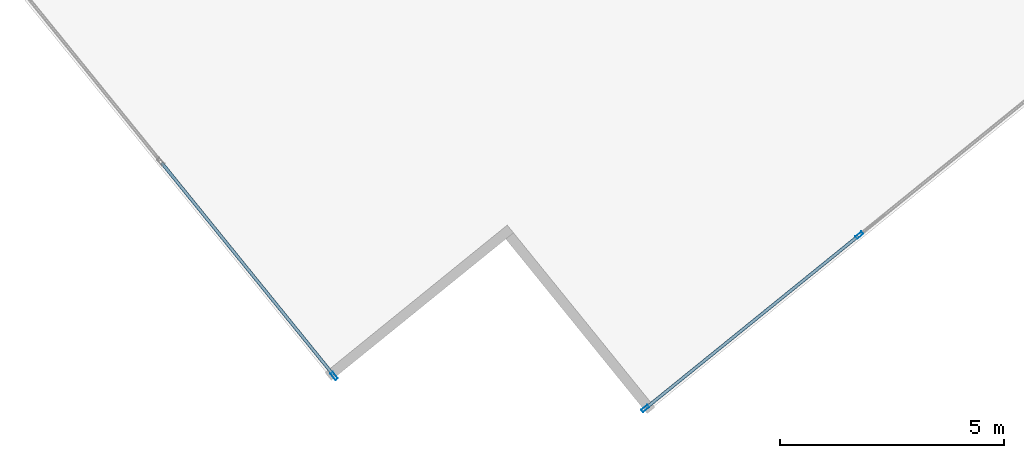
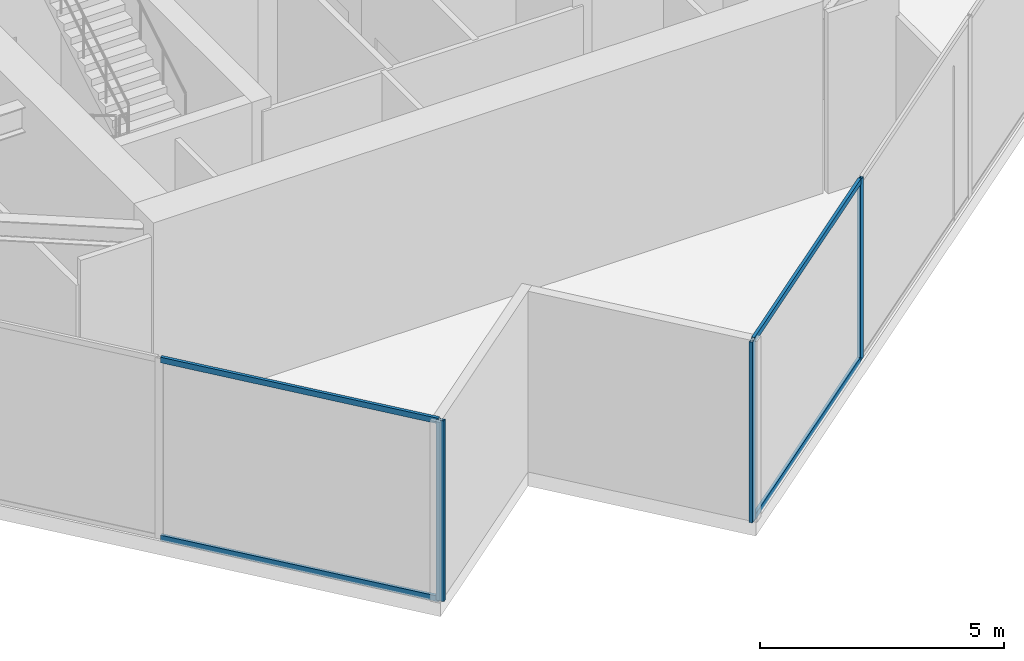
# One storey, part 3 of 22: 7 members, 2 elements without a shape of their own.
"""IFC4 building model written with IfcOpenShell, lengths in metres."""

from ifc_helpers import new_model, si_unit, direction, frame, origin, origin_2d, place, context, subcontext, project, spatial, hollow_rectangle, extrude, source, transform, mapped, material, material_profile, profile_set, type_object, type_shapes, element, aggregate, save


model = new_model("IFC4")

# Units and contexts
model_context = context("Model", 3, precision=1e-05, world=origin(), true_north=direction((0.0, 1.0)))
body_context = subcontext(model_context, "Body", "Model", "MODEL_VIEW")
ifc_project = project(units=[si_unit("LENGTHUNIT", "METRE"), si_unit("AREAUNIT", "SQUARE_METRE"), si_unit("VOLUMEUNIT", "CUBIC_METRE"), si_unit("PLANEANGLEUNIT", "RADIAN"), si_unit("MASSUNIT", "GRAM", prefix="KILO")], contexts=[model_context])

# Site, building, storey
site_placement = place(None, origin())
site = spatial("IfcSite", under=ifc_project, at=site_placement, CompositionType="ELEMENT")
building_placement = place(site_placement, origin())
building = spatial("IfcBuilding", under=site, at=building_placement, Name="Krantzveldt Concourse Tower", CompositionType="ELEMENT")
storey_placement = place(building_placement, frame((0.0, 0.0, 262.60009765625)))
storey = spatial("IfcBuildingStorey", under=building, at=storey_placement, Name="L64", CompositionType="ELEMENT", Elevation=262.60009765625)

# Curtain wall, member
ifc_material = material(Name="Anodised aluminium 6063-T6", Category="aluminium")
curtain_wall_type = type_object("IfcCurtainWallType", Name="CW5", PredefinedType="USERDEFINED", material=ifc_material)
curtain_wall_1_placement = place(storey_placement, origin())
curtain_wall_1 = element("IfcCurtainWall", 1, at=curtain_wall_1_placement, inside=storey, type_object=curtain_wall_type, Name="CW-L64-F04", ObjectType="UNITISED CURTAIN WALL", PredefinedType="USERDEFINED")
ifc_material_profile_1 = material_profile(ifc_material, hollow_rectangle(XDim=0.070068359375, YDim=0.179931640625, WallThickness=0.0048828125, at=origin_2d()), Name="Anodised aluminium 6063-T6", Category="aluminium")
ifc_profile_set_1 = profile_set([ifc_material_profile_1], Name="Anodised aluminium 6063-T6 - ALU-MULL 180x70x5")
member_type_1 = type_object("IfcMemberType", Name="CW-MUL-180", PredefinedType="MULLION", material=ifc_profile_set_1)
shared_shape_1 = source(origin(), body_context, "Body", "SweptSolid", [
    extrude(hollow_rectangle(XDim=0.070068359375, YDim=0.179931640625, WallThickness=0.0048828125, at=origin_2d()), origin(), (0.0, 0.0, 1.0), 4.52001953125),
])
type_shapes(member_type_1, [shared_shape_1])
member_1_placement = place(storey_placement, frame((29.870849609375, 1.8369140625, 0.0), z_axis=(0.0, 0.0, 1.0), x_axis=(0.777145933558, 0.629320425502, 0.0)))
member_1 = element("IfcMember", 2, at=member_1_placement, type_object=member_type_1, Name="CW-SKY mullion 6", PredefinedType="MULLION", context=body_context, shape_type="MappedRepresentation", body=[
    mapped(shared_shape_1, transform((0.0, 0.0, 0.0), x_axis=(1.0, 0.0, 0.0), y_axis=(0.0, 1.0, 0.0), z_axis=(0.0, 0.0, 1.0), scale=1.0)),
])

# Curtain wall, members
curtain_wall_2_placement = place(storey_placement, origin())
curtain_wall_2 = element("IfcCurtainWall", 3, at=curtain_wall_2_placement, inside=storey, type_object=curtain_wall_type, Name="CW-L64-F07", ObjectType="UNITISED CURTAIN WALL", PredefinedType="USERDEFINED")
member_2_placement = place(storey_placement, frame((36.825927734375, 1.10595703125, 0.0), z_axis=(0.0, 0.0, 1.0), x_axis=(-0.629320425502, 0.777145933558, 0.0)))
member_2 = element("IfcMember", 4, at=member_2_placement, type_object=member_type_1, Name="CW-SKY mullion 1", PredefinedType="MULLION", context=body_context, shape_type="MappedRepresentation", body=[
    mapped(shared_shape_1, transform((0.0, 0.0, 0.0), x_axis=(1.0, 0.0, 0.0), y_axis=(0.0, 1.0, 0.0), z_axis=(0.0, 0.0, 1.0), scale=1.0)),
])
member_3_placement = place(storey_placement, frame((41.616943359375, 4.98583984375, 0.0), z_axis=(0.0, 0.0, 1.0), x_axis=(-0.629320425502, 0.777145933558, 0.0)))
member_3 = element("IfcMember", 5, at=member_3_placement, type_object=member_type_1, Name="CW-SKY mullion 2", PredefinedType="MULLION", context=body_context, shape_type="MappedRepresentation", body=[
    mapped(shared_shape_1, transform((0.0, 0.0, 0.0), x_axis=(1.0, 0.0, 0.0), y_axis=(0.0, 1.0, 0.0), z_axis=(0.0, 0.0, 1.0), scale=1.0)),
])

# Member
ifc_material_profile_2 = material_profile(ifc_material, hollow_rectangle(XDim=0.070068359375, YDim=0.139892578125, WallThickness=0.0048828125, at=origin_2d()), Name="Anodised aluminium 6063-T6", Category="aluminium")
ifc_profile_set_2 = profile_set([ifc_material_profile_2], Name="Anodised aluminium 6063-T6 - ALU-TRAN 140x70x5")
member_type_2 = type_object("IfcMemberType", Name="CW-TRN-150", PredefinedType="USERDEFINED", material=ifc_profile_set_2)
shared_shape_2 = source(origin(), body_context, "Body", "SweptSolid", [
    extrude(hollow_rectangle(XDim=0.070068359375, YDim=0.139892578125, WallThickness=0.0048828125, at=origin_2d()), origin(), (0.0, 0.0, 1.0), 6.094970703125),
])
type_shapes(member_type_2, [shared_shape_2])
member_4_placement = place(storey_placement, frame((26.01318359375, 6.600830078125, 0.034912109375), z_axis=(0.629329583452, -0.777138517507, 0.0), x_axis=(0.777138517507, 0.629329583452, 0.0)))
member_4 = element("IfcMember", 6, at=member_4_placement, type_object=member_type_2, Name="CW-SKY transom 5.1", ObjectType="TRANSOM", PredefinedType="USERDEFINED", context=body_context, shape_type="MappedRepresentation", body=[
    mapped(shared_shape_2, transform((0.0, 0.0, 0.0), x_axis=(1.0, 0.0, 0.0), y_axis=(0.0, 1.0, 0.0), z_axis=(0.0, 0.0, 1.0), scale=1.0)),
])

member_5_placement = place(storey_placement, frame((26.01318359375, 6.600830078125, 4.48486328125), z_axis=(0.629329583452, -0.777138517507, 0.0), x_axis=(0.777138517507, 0.629329583452, 0.0)))
member_5 = element("IfcMember", 7, at=member_5_placement, type_object=member_type_2, Name="CW-SKY transom 5.2", ObjectType="TRANSOM", PredefinedType="USERDEFINED", context=body_context, shape_type="MappedRepresentation", body=[
    mapped(shared_shape_2, transform((0.0, 0.0, 0.0), x_axis=(1.0, 0.0, 0.0), y_axis=(0.0, 1.0, 0.0), z_axis=(0.0, 0.0, 1.0), scale=1.0)),
])

aggregate(curtain_wall_1, [member_1, member_4, member_5])

member_6_placement = place(storey_placement, frame((36.85302734375, 1.1279296875, 0.034912109375), z_axis=(0.77715438142, 0.629309993119, 0.0), x_axis=(-0.629309993119, 0.77715438142, 0.0)))
member_6 = element("IfcMember", 8, at=member_6_placement, type_object=member_type_2, Name="CW-SKY transom 1.1", ObjectType="TRANSOM", PredefinedType="USERDEFINED", context=body_context, shape_type="MappedRepresentation", body=[
    mapped(shared_shape_2, transform((0.0, 0.0, 0.0), x_axis=(1.0, 0.0, 0.0), y_axis=(0.0, 1.0, 0.0), z_axis=(0.0, 0.0, 1.0), scale=1.0)),
])

member_7_placement = place(storey_placement, frame((36.85302734375, 1.1279296875, 4.48486328125), z_axis=(0.77715438142, 0.629309993119, 0.0), x_axis=(-0.629309993119, 0.77715438142, 0.0)))
member_7 = element("IfcMember", 9, at=member_7_placement, type_object=member_type_2, Name="CW-SKY transom 1.2", ObjectType="TRANSOM", PredefinedType="USERDEFINED", context=body_context, shape_type="MappedRepresentation", body=[
    mapped(shared_shape_2, transform((0.0, 0.0, 0.0), x_axis=(1.0, 0.0, 0.0), y_axis=(0.0, 1.0, 0.0), z_axis=(0.0, 0.0, 1.0), scale=1.0)),
])

aggregate(curtain_wall_2, [member_2, member_3, member_6, member_7])

save(model, "model.ifc")
